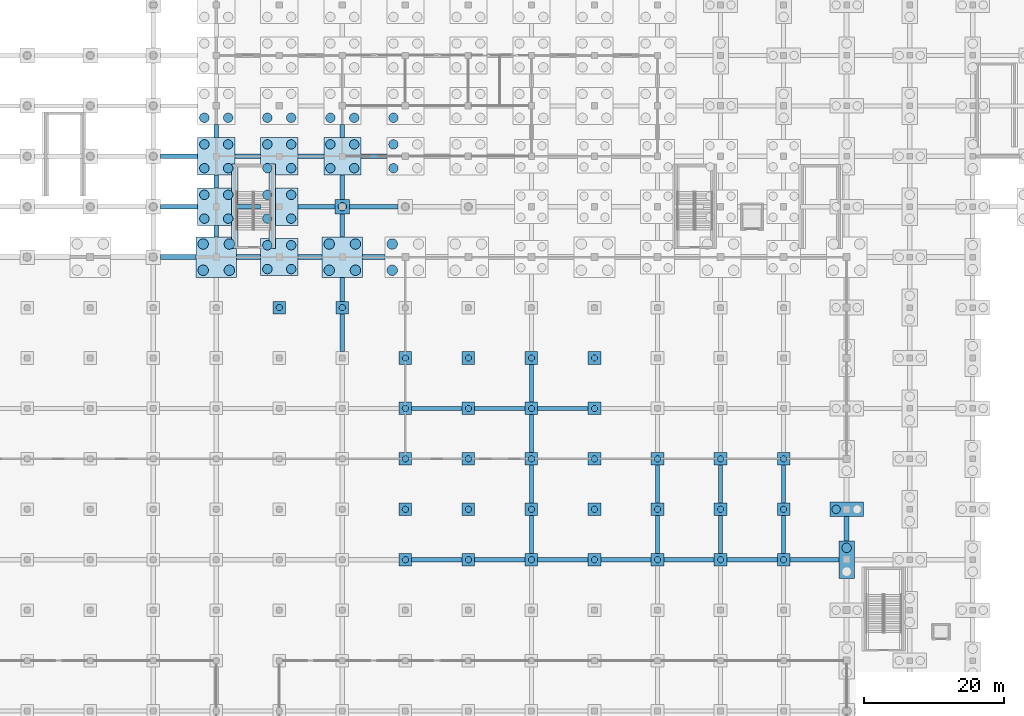
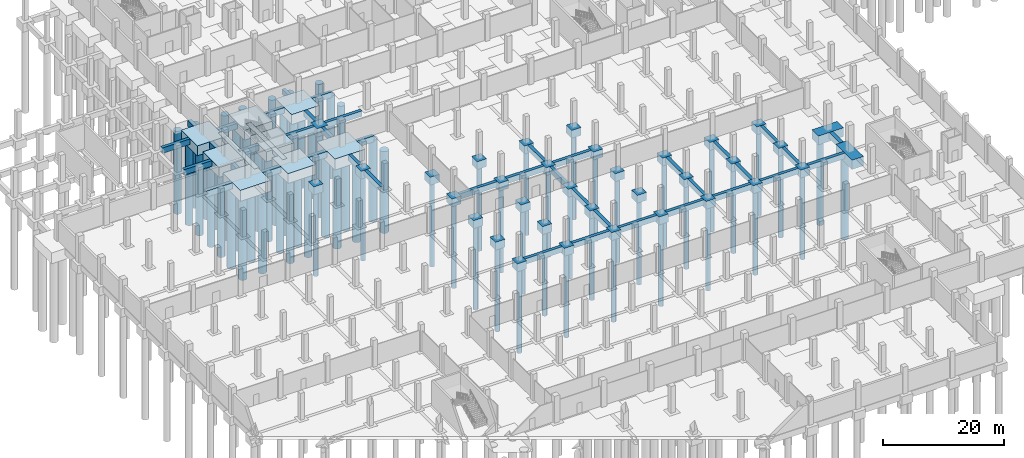
# One storey, part 4 of 39: 85 footings, 77 piles.
"""IFC4 building model written with IfcOpenShell, lengths in metres."""

from ifc_helpers import new_model, si_unit, direction, frame, origin, origin_2d, place, context, subcontext, project, spatial, rectangle, circle, extrude, material, material_profile, profile_set, type_object, element, save


model = new_model("IFC4")

# Units and contexts
model_context = context("Model", 3, precision=1e-05, world=origin(), true_north=direction((0.0, 1.0)))
body_context = subcontext(model_context, "Body", "Model", "MODEL_VIEW")
ifc_project = project(units=[si_unit("LENGTHUNIT", "METRE"), si_unit("AREAUNIT", "SQUARE_METRE"), si_unit("VOLUMEUNIT", "CUBIC_METRE"), si_unit("PLANEANGLEUNIT", "RADIAN"), si_unit("MASSUNIT", "GRAM", prefix="KILO")], contexts=[model_context])

# Site, building, storey
site_placement = place(None, origin())
site = spatial("IfcSite", under=ifc_project, at=site_placement, CompositionType="ELEMENT")
building_placement = place(site_placement, origin())
building = spatial("IfcBuilding", under=site, at=building_placement, Name="Celestram Park Convention Centre", CompositionType="ELEMENT")
storey_placement = place(building_placement, frame((0.0, 0.0, -5.39990234375)))
storey = spatial("IfcBuildingStorey", under=building, at=storey_placement, Name="B1", CompositionType="ELEMENT", Elevation=-5.39990234375)

# Footings
ifc_material_1 = material(Name="Concrete C40/50", Category="concrete")
footing_type_1 = type_object("IfcFootingType", Name="STR-CAP-PC1", PredefinedType="PILE_CAP", material=ifc_material_1)
for number, where, z_axis, x_axis, name in (
    (1, (45.0, 100.800048828125, -1.60009765625), (0.0, 0.0, 1.0), (1.0, 0.0, 0.0), "Caisson cap PC-01 at (45.0, 100.8)"),
    (2, (54.0, 100.800048828125, -1.60009765625), (0.0, 0.0, 1.0), (1.0, 0.0, 0.0), "Caisson cap PC-01 at (54.0, 100.8)"),
    (3, (63.0, 64.800048828125, -1.60009765625), (0.0, 0.0, 1.0), (1.0, 0.0, 0.0), "Caisson cap PC-01 at (63.0, 64.8)"),
    (4, (63.0, 72.0, -1.60009765625), (0.0, 0.0, 1.0), (1.0, 0.0, 0.0), "Caisson cap PC-01 at (63.0, 72.0)"),
    (5, (63.0, 79.199951171875, -1.60009765625), (0.0, 0.0, 1.0), (1.0, 0.0, 0.0), "Caisson cap PC-01 at (63.0, 79.2)"),
    (6, (63.0, 86.39990234375, -1.60009765625), (0.0, 0.0, 1.0), (1.0, 0.0, 0.0), "Caisson cap PC-01 at (63.0, 86.4)"),
    (7, (63.0, 93.60009765625, -1.60009765625), (0.0, 0.0, 1.0), (1.0, 0.0, 0.0), "Caisson cap PC-01 at (63.0, 93.6)"),
    (8, (72.0, 64.800048828125, -1.60009765625), (0.0, 0.0, 1.0), (1.0, 0.0, 0.0), "Caisson cap PC-01 at (72.0, 64.8)"),
    (9, (72.0, 72.0, -1.60009765625), (0.0, 0.0, 1.0), (1.0, 0.0, 0.0), "Caisson cap PC-01 at (72.0, 72.0)"),
    (10, (72.0, 79.199951171875, -1.60009765625), (0.0, 0.0, 1.0), (1.0, 0.0, 0.0), "Caisson cap PC-01 at (72.0, 79.2)"),
    (11, (72.0, 86.39990234375, -1.60009765625), (0.0, 0.0, 1.0), (1.0, 0.0, 0.0), "Caisson cap PC-01 at (72.0, 86.4)"),
    (12, (72.0, 93.60009765625, -1.60009765625), (0.0, 0.0, 1.0), (1.0, 0.0, 0.0), "Caisson cap PC-01 at (72.0, 93.6)"),
    (13, (81.0, 64.800048828125, -1.60009765625), (0.0, 0.0, 1.0), (1.0, 0.0, 0.0), "Caisson cap PC-01 at (81.0, 64.8)"),
    (14, (81.0, 72.0, -1.60009765625), (0.0, 0.0, 1.0), (1.0, 0.0, 0.0), "Caisson cap PC-01 at (81.0, 72.0)"),
    (15, (81.0, 79.199951171875, -1.60009765625), (0.0, 0.0, 1.0), (1.0, 0.0, 0.0), "Caisson cap PC-01 at (81.0, 79.2)"),
    (16, (81.0, 86.39990234375, -1.60009765625), (0.0, 0.0, 1.0), (1.0, 0.0, 0.0), "Caisson cap PC-01 at (81.0, 86.4)"),
    (17, (81.0, 93.60009765625, -1.60009765625), (0.0, 0.0, 1.0), (1.0, 0.0, 0.0), "Caisson cap PC-01 at (81.0, 93.6)"),
    (18, (90.0, 64.800048828125, -1.60009765625), (0.0, 0.0, 1.0), (1.0, 0.0, 0.0), "Caisson cap PC-01 at (90.0, 64.8)"),
    (19, (90.0, 72.0, -1.60009765625), (0.0, 0.0, 1.0), (1.0, 0.0, 0.0), "Caisson cap PC-01 at (90.0, 72.0)"),
    (20, (90.0, 79.199951171875, -1.60009765625), (0.0, 0.0, 1.0), (1.0, 0.0, 0.0), "Caisson cap PC-01 at (90.0, 79.2)"),
    (21, (90.0, 86.39990234375, -1.60009765625), (0.0, 0.0, 1.0), (1.0, 0.0, 0.0), "Caisson cap PC-01 at (90.0, 86.4)"),
    (22, (90.0, 93.60009765625, -1.60009765625), (0.0, 0.0, 1.0), (1.0, 0.0, 0.0), "Caisson cap PC-01 at (90.0, 93.6)"),
    (23, (99.0, 64.800048828125, -1.60009765625), (0.0, 0.0, 1.0), (1.0, 0.0, 0.0), "Caisson cap PC-01 at (99.0, 64.8)"),
    (24, (99.0, 72.0, -1.60009765625), (0.0, 0.0, 1.0), (1.0, 0.0, 0.0), "Caisson cap PC-01 at (99.0, 72.0)"),
    (25, (99.0, 79.199951171875, -1.60009765625), (0.0, 0.0, 1.0), (1.0, 0.0, 0.0), "Caisson cap PC-01 at (99.0, 79.2)"),
    (26, (108.0, 64.800048828125, -1.60009765625), (0.0, 0.0, 1.0), (1.0, 0.0, 0.0), "Caisson cap PC-01 at (108.0, 64.8)"),
    (27, (108.0, 72.0, -1.60009765625), (0.0, 0.0, 1.0), (1.0, 0.0, 0.0), "Caisson cap PC-01 at (108.0, 72.0)"),
    (28, (108.0, 79.199951171875, -1.60009765625), (0.0, 0.0, 1.0), (1.0, 0.0, 0.0), "Caisson cap PC-01 at (108.0, 79.2)"),
    (29, (117.0, 64.800048828125, -1.60009765625), (0.0, 0.0, 1.0), (1.0, 0.0, 0.0), "Caisson cap PC-01 at (117.0, 64.8)"),
    (30, (117.0, 72.0, -1.60009765625), (0.0, 0.0, 1.0), (1.0, 0.0, 0.0), "Caisson cap PC-01 at (117.0, 72.0)"),
    (31, (117.0, 79.199951171875, -1.60009765625), (0.0, 0.0, 1.0), (1.0, 0.0, 0.0), "Caisson cap PC-01 at (117.0, 79.2)"),
):
    element("IfcFooting", number, at=place(storey_placement, frame(where, z_axis=z_axis, x_axis=x_axis)), inside=storey, type_object=footing_type_1, Name=name, PredefinedType="PILE_CAP", context=body_context, shape_type="SweptSolid", body=[
        extrude(rectangle(XDim=1.800048828125, YDim=1.800048828125, at=origin_2d()), origin(), (0.0, 0.0, 1.0), 1.60009765625),
    ])
footing_type_2 = type_object("IfcFootingType", Name="STR-CAP-PC2", PredefinedType="PILE_CAP", material=ifc_material_1)
footing_1_placement = place(storey_placement, frame((54.0, 115.199951171875, -1.7001953125), z_axis=(0.0, 0.0, 1.0), x_axis=(1.0, 0.0, 0.0)))
element("IfcFooting", 32, at=footing_1_placement, inside=storey, type_object=footing_type_2, Name="Caisson cap PC-02 at (54.0, 115.2)", PredefinedType="PILE_CAP", context=body_context, shape_type="SweptSolid", body=[
    extrude(rectangle(XDim=2.10009765625, YDim=2.10009765625, at=origin_2d()), origin(), (0.0, 0.0, 1.0), 1.699951171875),
])
footing_type_3 = type_object("IfcFootingType", Name="STR-CAP-PC4", PredefinedType="PILE_CAP", material=ifc_material_1)
footing_2_placement = place(storey_placement, frame((126.0, 72.0, -1.80029296875), z_axis=(0.0, 0.0, 1.0), x_axis=(1.0, 0.0, 0.0)))
element("IfcFooting", 33, at=footing_2_placement, inside=storey, type_object=footing_type_3, Name="Caisson cap PC-04 at (126.0, 72.0)", PredefinedType="PILE_CAP", context=body_context, shape_type="SweptSolid", body=[
    extrude(rectangle(XDim=4.800048828125, YDim=2.10009765625, at=origin_2d()), origin(), (0.0, 0.0, 1.0), 1.800048828125),
])
footing_type_4 = type_object("IfcFootingType", Name="STR-CAP-PC5", PredefinedType="PILE_CAP", material=ifc_material_1)
footing_3_placement = place(storey_placement, frame((126.0, 64.800048828125, -1.900146484375), z_axis=(0.0, 0.0, 1.0), x_axis=(1.0, 0.0, 0.0)))
element("IfcFooting", 34, at=footing_3_placement, inside=storey, type_object=footing_type_4, Name="Caisson cap PC-05 at (126.0, 64.8)", PredefinedType="PILE_CAP", context=body_context, shape_type="SweptSolid", body=[
    extrude(rectangle(XDim=2.199951171875, YDim=5.300048828125, at=origin_2d()), origin(), (0.0, 0.0, 1.0), 1.89990234375),
])
footing_type_5 = type_object("IfcFootingType", Name="STR-CAP-PC7", PredefinedType="PILE_CAP", material=ifc_material_1)
for number, where, z_axis, x_axis, name in (
    (35, (36.0, 115.199951171875, -2.0), (0.0, 0.0, 1.0), (1.0, 0.0, 0.0), "Caisson cap PC-07 at (36.0, 115.2)"),
    (36, (36.0, 122.39990234375, -2.0), (0.0, 0.0, 1.0), (1.0, 0.0, 0.0), "Caisson cap PC-07 at (36.0, 122.4)"),
    (37, (45.0, 108.0, -2.0), (0.0, 0.0, 1.0), (1.0, 0.0, 0.0), "Caisson cap PC-07 at (45.0, 108.0)"),
    (38, (45.0, 115.199951171875, -2.0), (0.0, 0.0, 1.0), (1.0, 0.0, 0.0), "Caisson cap PC-07 at (45.0, 115.2)"),
    (39, (45.0, 122.39990234375, -2.0), (0.0, 0.0, 1.0), (1.0, 0.0, 0.0), "Caisson cap PC-07 at (45.0, 122.4)"),
    (40, (54.0, 122.39990234375, -2.0), (0.0, 0.0, 1.0), (1.0, 0.0, 0.0), "Caisson cap PC-07 at (54.0, 122.4)"),
):
    element("IfcFooting", number, at=place(storey_placement, frame(where, z_axis=z_axis, x_axis=x_axis)), inside=storey, type_object=footing_type_5, Name=name, PredefinedType="PILE_CAP", context=body_context, shape_type="SweptSolid", body=[
        extrude(rectangle(XDim=5.300048828125, YDim=5.300048828125, at=origin_2d()), origin(), (0.0, 0.0, 1.0), 2.0),
    ])
footing_type_6 = type_object("IfcFootingType", Name="STR-CAP-PC8", PredefinedType="PILE_CAP", material=ifc_material_1)
for number, where, z_axis, x_axis, name in (
    (41, (36.0, 108.0, -2.2001953125), (0.0, 0.0, 1.0), (1.0, 0.0, 0.0), "Caisson cap PC-08 at (36.0, 108.0)"),
    (42, (54.0, 108.0, -2.2001953125), (0.0, 0.0, 1.0), (1.0, 0.0, 0.0), "Caisson cap PC-08 at (54.0, 108.0)"),
):
    element("IfcFooting", number, at=place(storey_placement, frame(where, z_axis=z_axis, x_axis=x_axis)), inside=storey, type_object=footing_type_6, Name=name, PredefinedType="PILE_CAP", context=body_context, shape_type="SweptSolid", body=[
        extrude(rectangle(XDim=5.800048828125, YDim=5.800048828125, at=origin_2d()), origin(), (0.0, 0.0, 1.0), 2.199951171875),
    ])
ifc_material_2 = material(Name="Concrete C35/45", Category="concrete")
footing_type_7 = type_object("IfcFootingType", Name="STR-FTG-GB01", PredefinedType="FOOTING_BEAM", material=ifc_material_2)
footing_4_placement = place(storey_placement, frame((30.574951171875, 108.0, -1.2001953125), z_axis=(0.0, 0.0, 1.0), x_axis=(1.0, 0.0, 0.0)))
element("IfcFooting", 43, at=footing_4_placement, inside=storey, type_object=footing_type_7, Name="Grade tie beam GB-B1-064", PredefinedType="FOOTING_BEAM", context=body_context, shape_type="SweptSolid", body=[
    extrude(rectangle(XDim=5.050048828125, YDim=0.699951171875, at=origin_2d()), origin(), (0.0, 0.0, 1.0), 1.199951171875),
])
footing_type_8 = type_object("IfcFootingType", Name="STR-FTG-GB05", PredefinedType="FOOTING_BEAM", material=ifc_material_2)
footing_5_placement = place(storey_placement, frame((58.5, 115.199951171875, -1.10009765625), z_axis=(0.0, 0.0, 1.0), x_axis=(1.0, 0.0, 0.0)))
element("IfcFooting", 44, at=footing_5_placement, inside=storey, type_object=footing_type_8, Name="Grade tie beam GB-B1-151", PredefinedType="FOOTING_BEAM", context=body_context, shape_type="SweptSolid", body=[
    extrude(rectangle(XDim=6.89990234375, YDim=0.60009765625, at=origin_2d()), origin(), (0.0, 0.0, 1.0), 1.10009765625),
])
footing_type_9 = type_object("IfcFootingType", Name="STR-FTG-GB06", PredefinedType="FOOTING_BEAM", material=ifc_material_2)
for number, where, z_axis, x_axis, name in (
    (45, (67.5, 64.800048828125, -1.10009765625), (0.0, 0.0, 1.0), (1.0, 0.0, 0.0), "Grade tie beam GB-B1-168"),
    (46, (67.5, 86.39990234375, -1.10009765625), (0.0, 0.0, 1.0), (1.0, 0.0, 0.0), "Grade tie beam GB-B1-169"),
    (47, (76.5, 64.800048828125, -1.10009765625), (0.0, 0.0, 1.0), (1.0, 0.0, 0.0), "Grade tie beam GB-B1-181"),
    (48, (76.5, 86.39990234375, -1.10009765625), (0.0, 0.0, 1.0), (1.0, 0.0, 0.0), "Grade tie beam GB-B1-182"),
    (49, (85.5, 64.800048828125, -1.10009765625), (0.0, 0.0, 1.0), (1.0, 0.0, 0.0), "Grade tie beam GB-B1-203"),
    (50, (85.5, 86.39990234375, -1.10009765625), (0.0, 0.0, 1.0), (1.0, 0.0, 0.0), "Grade tie beam GB-B1-207"),
    (51, (94.5, 64.800048828125, -1.10009765625), (0.0, 0.0, 1.0), (1.0, 0.0, 0.0), "Grade tie beam GB-B1-230"),
    (52, (103.5, 64.800048828125, -1.10009765625), (0.0, 0.0, 1.0), (1.0, 0.0, 0.0), "Grade tie beam GB-B1-252"),
    (53, (112.5, 64.800048828125, -1.10009765625), (0.0, 0.0, 1.0), (1.0, 0.0, 0.0), "Grade tie beam GB-B1-288"),
):
    element("IfcFooting", number, at=place(storey_placement, frame(where, z_axis=z_axis, x_axis=x_axis)), inside=storey, type_object=footing_type_9, Name=name, PredefinedType="FOOTING_BEAM", context=body_context, shape_type="SweptSolid", body=[
        extrude(rectangle(XDim=7.199951171875, YDim=0.60009765625, at=origin_2d()), origin(), (0.0, 0.0, 1.0), 1.10009765625),
    ])
footing_type_10 = type_object("IfcFootingType", Name="STR-FTG-GB08", PredefinedType="FOOTING_BEAM", material=ifc_material_2)
for number, where, z_axis, x_axis, name in (
    (54, (54.0, 97.199951171875, -1.10009765625), (0.0, 0.0, 1.0), (0.0, 1.0, 0.0), "Grade tie beam GB-B1-147"),
    (55, (81.0, 68.39990234375, -1.10009765625), (0.0, 0.0, 1.0), (0.0, 1.0, 0.0), "Grade tie beam GB-B1-204"),
    (56, (81.0, 75.60009765625, -1.10009765625), (0.0, 0.0, 1.0), (0.0, 1.0, 0.0), "Grade tie beam GB-B1-205"),
    (57, (81.0, 82.800048828125, -1.10009765625), (0.0, 0.0, 1.0), (0.0, 1.0, 0.0), "Grade tie beam GB-B1-206"),
    (58, (81.0, 90.0, -1.10009765625), (0.0, 0.0, 1.0), (0.0, 1.0, 0.0), "Grade tie beam GB-B1-208"),
    (59, (99.0, 68.39990234375, -1.10009765625), (0.0, 0.0, 1.0), (0.0, 1.0, 0.0), "Grade tie beam GB-B1-253"),
    (60, (99.0, 75.60009765625, -1.10009765625), (0.0, 0.0, 1.0), (0.0, 1.0, 0.0), "Grade tie beam GB-B1-254"),
    (61, (108.0, 68.39990234375, -1.10009765625), (0.0, 0.0, 1.0), (0.0, 1.0, 0.0), "Grade tie beam GB-B1-289"),
    (62, (108.0, 75.60009765625, -1.10009765625), (0.0, 0.0, 1.0), (0.0, 1.0, 0.0), "Grade tie beam GB-B1-290"),
    (63, (117.0, 68.39990234375, -1.10009765625), (0.0, 0.0, 1.0), (0.0, 1.0, 0.0), "Grade tie beam GB-B1-324"),
    (64, (117.0, 75.60009765625, -1.10009765625), (0.0, 0.0, 1.0), (0.0, 1.0, 0.0), "Grade tie beam GB-B1-325"),
):
    element("IfcFooting", number, at=place(storey_placement, frame(where, z_axis=z_axis, x_axis=x_axis)), inside=storey, type_object=footing_type_10, Name=name, PredefinedType="FOOTING_BEAM", context=body_context, shape_type="SweptSolid", body=[
        extrude(rectangle(XDim=5.39990234375, YDim=0.60009765625, at=origin_2d()), origin(), (0.0, 0.0, 1.0), 1.10009765625),
    ])
footing_type_11 = type_object("IfcFootingType", Name="STR-FTG-GB10", PredefinedType="FOOTING_BEAM", material=ifc_material_2)
for number, where, z_axis, x_axis, name in (
    (65, (30.699951171875, 115.199951171875, -1.10009765625), (0.0, 0.0, 1.0), (1.0, 0.0, 0.0), "Grade tie beam GB-B1-066"),
    (66, (30.699951171875, 122.39990234375, -1.10009765625), (0.0, 0.0, 1.0), (1.0, 0.0, 0.0), "Grade tie beam GB-B1-068"),
    (67, (50.300048828125, 115.199951171875, -1.10009765625), (0.0, 0.0, 1.0), (1.0, 0.0, 0.0), "Grade tie beam GB-B1-122"),
):
    element("IfcFooting", number, at=place(storey_placement, frame(where, z_axis=z_axis, x_axis=x_axis)), inside=storey, type_object=footing_type_11, Name=name, PredefinedType="FOOTING_BEAM", context=body_context, shape_type="SweptSolid", body=[
        extrude(rectangle(XDim=5.300048828125, YDim=0.60009765625, at=origin_2d()), origin(), (0.0, 0.0, 1.0), 1.10009765625),
    ])
footing_type_12 = type_object("IfcFootingType", Name="STR-FTG-GB15", PredefinedType="FOOTING_BEAM", material=ifc_material_2)
for number, where, z_axis, x_axis, name in (
    (68, (40.625, 108.0, -1.2001953125), (0.0, 0.0, 1.0), (1.0, 0.0, 0.0), "Grade tie beam GB-B1-100"),
    (69, (49.375, 108.0, -1.2001953125), (0.0, 0.0, 1.0), (1.0, 0.0, 0.0), "Grade tie beam GB-B1-121"),
):
    element("IfcFooting", number, at=place(storey_placement, frame(where, z_axis=z_axis, x_axis=x_axis)), inside=storey, type_object=footing_type_12, Name=name, PredefinedType="FOOTING_BEAM", context=body_context, shape_type="SweptSolid", body=[
        extrude(rectangle(XDim=3.449951171875, YDim=0.699951171875, at=origin_2d()), origin(), (0.0, 0.0, 1.0), 1.199951171875),
    ])
footing_type_13 = type_object("IfcFootingType", Name="STR-FTG-GB16", PredefinedType="FOOTING_BEAM", material=ifc_material_2)
footing_6_placement = place(storey_placement, frame((36.0, 111.72509765625, -1.2001953125), z_axis=(0.0, 0.0, 1.0), x_axis=(0.0, 1.0, 0.0)))
element("IfcFooting", 70, at=footing_6_placement, inside=storey, type_object=footing_type_13, Name="Grade tie beam GB-B1-101", PredefinedType="FOOTING_BEAM", context=body_context, shape_type="SweptSolid", body=[
    extrude(rectangle(XDim=1.64990234375, YDim=0.699951171875, at=origin_2d()), origin(), (0.0, 0.0, 1.0), 1.199951171875),
])
footing_type_14 = type_object("IfcFootingType", Name="STR-FTG-GB17", PredefinedType="FOOTING_BEAM", material=ifc_material_2)
for number, where, z_axis, x_axis, name in (
    (71, (40.5, 115.199951171875, -1.10009765625), (0.0, 0.0, 1.0), (1.0, 0.0, 0.0), "Grade tie beam GB-B1-102"),
    (72, (40.5, 122.39990234375, -1.10009765625), (0.0, 0.0, 1.0), (1.0, 0.0, 0.0), "Grade tie beam GB-B1-104"),
    (73, (49.5, 122.39990234375, -1.10009765625), (0.0, 0.0, 1.0), (1.0, 0.0, 0.0), "Grade tie beam GB-B1-123"),
    (74, (58.5, 122.39990234375, -1.10009765625), (0.0, 0.0, 1.0), (1.0, 0.0, 0.0), "Grade tie beam GB-B1-153"),
):
    element("IfcFooting", number, at=place(storey_placement, frame(where, z_axis=z_axis, x_axis=x_axis)), inside=storey, type_object=footing_type_14, Name=name, PredefinedType="FOOTING_BEAM", context=body_context, shape_type="SweptSolid", body=[
        extrude(rectangle(XDim=3.699951171875, YDim=0.60009765625, at=origin_2d()), origin(), (0.0, 0.0, 1.0), 1.10009765625),
    ])
footing_type_15 = type_object("IfcFootingType", Name="STR-FTG-GB18", PredefinedType="FOOTING_BEAM", material=ifc_material_2)
for number, where, z_axis, x_axis, name in (
    (75, (36.0, 118.800048828125, -1.2001953125), (0.0, 0.0, 1.0), (0.0, 1.0, 0.0), "Grade tie beam GB-B1-103"),
    (76, (36.0, 126.0, -1.2001953125), (0.0, 0.0, 1.0), (0.0, 1.0, 0.0), "Grade tie beam GB-B1-105"),
):
    element("IfcFooting", number, at=place(storey_placement, frame(where, z_axis=z_axis, x_axis=x_axis)), inside=storey, type_object=footing_type_15, Name=name, PredefinedType="FOOTING_BEAM", context=body_context, shape_type="SweptSolid", body=[
        extrude(rectangle(XDim=1.89990234375, YDim=0.699951171875, at=origin_2d()), origin(), (0.0, 0.0, 1.0), 1.199951171875),
    ])
footing_type_16 = type_object("IfcFootingType", Name="STR-FTG-GB20", PredefinedType="FOOTING_BEAM", material=ifc_material_2)
footing_7_placement = place(storey_placement, frame((54.0, 112.52490234375, -1.10009765625), z_axis=(0.0, 0.0, 1.0), x_axis=(0.0, 1.0, 0.0)))
element("IfcFooting", 77, at=footing_7_placement, inside=storey, type_object=footing_type_16, Name="Grade tie beam GB-B1-150", PredefinedType="FOOTING_BEAM", context=body_context, shape_type="SweptSolid", body=[
    extrude(rectangle(XDim=3.25, YDim=0.60009765625, at=origin_2d()), origin(), (0.0, 0.0, 1.0), 1.10009765625),
])
footing_type_17 = type_object("IfcFootingType", Name="STR-FTG-GB21", PredefinedType="FOOTING_BEAM", material=ifc_material_2)
footing_8_placement = place(storey_placement, frame((58.5, 108.0, -1.2001953125), z_axis=(0.0, 0.0, 1.0), x_axis=(1.0, 0.0, 0.0)))
element("IfcFooting", 78, at=footing_8_placement, inside=storey, type_object=footing_type_17, Name="Grade tie beam GB-B1-149", PredefinedType="FOOTING_BEAM", context=body_context, shape_type="SweptSolid", body=[
    extrude(rectangle(XDim=3.199951171875, YDim=0.699951171875, at=origin_2d()), origin(), (0.0, 0.0, 1.0), 1.199951171875),
])
footing_type_18 = type_object("IfcFootingType", Name="STR-FTG-GB22", PredefinedType="FOOTING_BEAM", material=ifc_material_2)
footing_9_placement = place(storey_placement, frame((54.0, 103.39990234375, -1.10009765625), z_axis=(0.0, 0.0, 1.0), x_axis=(0.0, 1.0, 0.0)))
element("IfcFooting", 79, at=footing_9_placement, inside=storey, type_object=footing_type_18, Name="Grade tie beam GB-B1-148", PredefinedType="FOOTING_BEAM", context=body_context, shape_type="SweptSolid", body=[
    extrude(rectangle(XDim=3.39990234375, YDim=0.60009765625, at=origin_2d()), origin(), (0.0, 0.0, 1.0), 1.10009765625),
])
footing_type_19 = type_object("IfcFootingType", Name="STR-FTG-GB23", PredefinedType="FOOTING_BEAM", material=ifc_material_2)
footing_10_placement = place(storey_placement, frame((54.0, 118.0, -1.10009765625), z_axis=(0.0, 0.0, 1.0), x_axis=(0.0, 1.0, 0.0)))
element("IfcFooting", 80, at=footing_10_placement, inside=storey, type_object=footing_type_19, Name="Grade tie beam GB-B1-152", PredefinedType="FOOTING_BEAM", context=body_context, shape_type="SweptSolid", body=[
    extrude(rectangle(XDim=3.5, YDim=0.60009765625, at=origin_2d()), origin(), (0.0, 0.0, 1.0), 1.10009765625),
])
footing_type_20 = type_object("IfcFootingType", Name="STR-FTG-GB24", PredefinedType="FOOTING_BEAM", material=ifc_material_2)
footing_11_placement = place(storey_placement, frame((54.0, 126.0, -1.10009765625), z_axis=(0.0, 0.0, 1.0), x_axis=(0.0, 1.0, 0.0)))
element("IfcFooting", 81, at=footing_11_placement, inside=storey, type_object=footing_type_20, Name="Grade tie beam GB-B1-154", PredefinedType="FOOTING_BEAM", context=body_context, shape_type="SweptSolid", body=[
    extrude(rectangle(XDim=1.89990234375, YDim=0.60009765625, at=origin_2d()), origin(), (0.0, 0.0, 1.0), 1.10009765625),
])
footing_type_21 = type_object("IfcFootingType", Name="STR-FTG-GB35", PredefinedType="FOOTING_BEAM", material=ifc_material_2)
footing_12_placement = place(storey_placement, frame((121.39990234375, 64.800048828125, -1.10009765625), z_axis=(0.0, 0.0, 1.0), x_axis=(1.0, 0.0, 0.0)))
element("IfcFooting", 82, at=footing_12_placement, inside=storey, type_object=footing_type_21, Name="Grade tie beam GB-B1-323", PredefinedType="FOOTING_BEAM", context=body_context, shape_type="SweptSolid", body=[
    extrude(rectangle(XDim=7.0, YDim=0.60009765625, at=origin_2d()), origin(), (0.0, 0.0, 1.0), 1.10009765625),
])
footing_type_22 = type_object("IfcFootingType", Name="STR-FTG-GB39", PredefinedType="FOOTING_BEAM", material=ifc_material_2)
footing_13_placement = place(storey_placement, frame((126.0, 69.199951171875, -1.2001953125), z_axis=(0.0, 0.0, 1.0), x_axis=(0.0, 1.0, 0.0)))
element("IfcFooting", 83, at=footing_13_placement, inside=storey, type_object=footing_type_22, Name="Grade tie beam GB-B1-356", PredefinedType="FOOTING_BEAM", context=body_context, shape_type="SweptSolid", body=[
    extrude(rectangle(XDim=3.5, YDim=0.699951171875, at=origin_2d()), origin(), (0.0, 0.0, 1.0), 1.199951171875),
])
footing_type_23 = type_object("IfcFootingType", Name="STR-FTG-SF49", PredefinedType="STRIP_FOOTING", material=ifc_material_2)
for number, where, z_axis, x_axis, name in (
    (84, (38.64990234375, 115.264892578125, -0.75), (0.0, 0.0, 1.0), (0.0, 1.0, 0.0), "Core S13 strip footing"),
    (85, (43.989990234375, 115.264892578125, -0.75), (0.0, 0.0, 1.0), (0.0, 1.0, 0.0), "Core S13 strip footing"),
):
    element("IfcFooting", number, at=place(storey_placement, frame(where, z_axis=z_axis, x_axis=x_axis)), inside=storey, type_object=footing_type_23, Name=name, PredefinedType="STRIP_FOOTING", context=body_context, shape_type="SweptSolid", body=[
        extrude(rectangle(XDim=12.030029296875, YDim=0.89990234375, at=origin_2d()), origin(), (0.0, 0.0, 1.0), 0.75),
    ])

# Piles
ifc_material_profile_1 = material_profile(ifc_material_1, circle(Radius=0.60009765625, at=origin_2d()), Name="CAISSON1200")
ifc_profile_set_1 = profile_set([ifc_material_profile_1], Name="Concrete C40/50")
pile_type_1 = type_object("IfcPileType", Name="STR-PIL-C1200", PredefinedType="BORED", material=ifc_profile_set_1)
pile_1_placement = place(storey_placement, frame((54.0, 115.199951171875, -1.60009765625), z_axis=(0.0, 0.0, -1.0), x_axis=(1.0, 0.0, 0.0)))
element("IfcPile", 86, at=pile_1_placement, inside=storey, type_object=pile_type_1, Name="Bored caisson PC-B1-212", PredefinedType="BORED", context=body_context, shape_type="SweptSolid", body=[
    extrude(circle(Radius=0.60009765625, at=origin_2d()), origin(), (0.0, 0.0, 1.0), 17.0),
])
pile_2_placement = place(storey_placement, frame((124.5, 72.0, -1.7001953125), z_axis=(0.0, 0.0, -1.0), x_axis=(1.0, 0.0, 0.0)))
element("IfcPile", 87, at=pile_2_placement, inside=storey, type_object=pile_type_1, Name="Bored caisson PC-B1-593", PredefinedType="BORED", context=body_context, shape_type="SweptSolid", body=[
    extrude(circle(Radius=0.60009765625, at=origin_2d()), origin(), (0.0, 0.0, 1.0), 16.89990234375),
])
ifc_material_profile_2 = material_profile(ifc_material_1, circle(Radius=0.675048828125, at=origin_2d()), Name="CAISSON1350")
ifc_profile_set_2 = profile_set([ifc_material_profile_2], Name="Concrete C40/50")
pile_type_2 = type_object("IfcPileType", Name="STR-PIL-C1350", PredefinedType="BORED", material=ifc_profile_set_2)
for number, where, z_axis, x_axis, name in (
    (88, (34.300048828125, 113.5, -1.900146484375), (0.0, 0.0, -1.0), (1.0, 0.0, 0.0), "Bored caisson PC-B1-107"),
    (89, (37.699951171875, 113.5, -1.900146484375), (0.0, 0.0, -1.0), (1.0, 0.0, 0.0), "Bored caisson PC-B1-108"),
    (90, (34.300048828125, 116.89990234375, -1.900146484375), (0.0, 0.0, -1.0), (1.0, 0.0, 0.0), "Bored caisson PC-B1-109"),
    (91, (37.699951171875, 116.89990234375, -1.900146484375), (0.0, 0.0, -1.0), (1.0, 0.0, 0.0), "Bored caisson PC-B1-110"),
    (92, (34.300048828125, 120.699951171875, -1.900146484375), (0.0, 0.0, -1.0), (1.0, 0.0, 0.0), "Bored caisson PC-B1-111"),
    (93, (37.699951171875, 120.699951171875, -1.900146484375), (0.0, 0.0, -1.0), (1.0, 0.0, 0.0), "Bored caisson PC-B1-112"),
    (94, (34.300048828125, 124.10009765625, -1.900146484375), (0.0, 0.0, -1.0), (1.0, 0.0, 0.0), "Bored caisson PC-B1-113"),
    (95, (37.699951171875, 124.10009765625, -1.900146484375), (0.0, 0.0, -1.0), (1.0, 0.0, 0.0), "Bored caisson PC-B1-114"),
    (96, (34.300048828125, 127.89990234375, -1.900146484375), (0.0, 0.0, -1.0), (1.0, 0.0, 0.0), "Bored caisson PC-B1-115"),
    (97, (37.699951171875, 127.89990234375, -1.900146484375), (0.0, 0.0, -1.0), (1.0, 0.0, 0.0), "Bored caisson PC-B1-116"),
    (98, (43.300048828125, 106.300048828125, -1.900146484375), (0.0, 0.0, -1.0), (1.0, 0.0, 0.0), "Bored caisson PC-B1-154"),
    (99, (46.699951171875, 106.300048828125, -1.900146484375), (0.0, 0.0, -1.0), (1.0, 0.0, 0.0), "Bored caisson PC-B1-155"),
    (100, (43.300048828125, 109.699951171875, -1.900146484375), (0.0, 0.0, -1.0), (1.0, 0.0, 0.0), "Bored caisson PC-B1-156"),
    (101, (46.699951171875, 109.699951171875, -1.900146484375), (0.0, 0.0, -1.0), (1.0, 0.0, 0.0), "Bored caisson PC-B1-157"),
    (102, (43.300048828125, 113.5, -1.900146484375), (0.0, 0.0, -1.0), (1.0, 0.0, 0.0), "Bored caisson PC-B1-158"),
    (103, (46.699951171875, 113.5, -1.900146484375), (0.0, 0.0, -1.0), (1.0, 0.0, 0.0), "Bored caisson PC-B1-159"),
    (104, (43.300048828125, 116.89990234375, -1.900146484375), (0.0, 0.0, -1.0), (1.0, 0.0, 0.0), "Bored caisson PC-B1-160"),
    (105, (46.699951171875, 116.89990234375, -1.900146484375), (0.0, 0.0, -1.0), (1.0, 0.0, 0.0), "Bored caisson PC-B1-161"),
    (106, (43.300048828125, 120.699951171875, -1.900146484375), (0.0, 0.0, -1.0), (1.0, 0.0, 0.0), "Bored caisson PC-B1-162"),
    (107, (46.699951171875, 120.699951171875, -1.900146484375), (0.0, 0.0, -1.0), (1.0, 0.0, 0.0), "Bored caisson PC-B1-163"),
    (108, (43.300048828125, 124.10009765625, -1.900146484375), (0.0, 0.0, -1.0), (1.0, 0.0, 0.0), "Bored caisson PC-B1-164"),
    (109, (46.699951171875, 124.10009765625, -1.900146484375), (0.0, 0.0, -1.0), (1.0, 0.0, 0.0), "Bored caisson PC-B1-165"),
    (110, (43.300048828125, 127.89990234375, -1.900146484375), (0.0, 0.0, -1.0), (1.0, 0.0, 0.0), "Bored caisson PC-B1-166"),
    (111, (46.699951171875, 127.89990234375, -1.900146484375), (0.0, 0.0, -1.0), (1.0, 0.0, 0.0), "Bored caisson PC-B1-167"),
    (112, (52.300048828125, 120.699951171875, -1.900146484375), (0.0, 0.0, -1.0), (1.0, 0.0, 0.0), "Bored caisson PC-B1-213"),
    (113, (55.699951171875, 120.699951171875, -1.900146484375), (0.0, 0.0, -1.0), (1.0, 0.0, 0.0), "Bored caisson PC-B1-214"),
    (114, (52.300048828125, 124.10009765625, -1.900146484375), (0.0, 0.0, -1.0), (1.0, 0.0, 0.0), "Bored caisson PC-B1-215"),
    (115, (55.699951171875, 124.10009765625, -1.900146484375), (0.0, 0.0, -1.0), (1.0, 0.0, 0.0), "Bored caisson PC-B1-216"),
    (116, (52.300048828125, 127.89990234375, -1.900146484375), (0.0, 0.0, -1.0), (1.0, 0.0, 0.0), "Bored caisson PC-B1-217"),
    (117, (55.699951171875, 127.89990234375, -1.900146484375), (0.0, 0.0, -1.0), (1.0, 0.0, 0.0), "Bored caisson PC-B1-218"),
    (118, (61.300048828125, 120.699951171875, -1.900146484375), (0.0, 0.0, -1.0), (1.0, 0.0, 0.0), "Bored caisson PC-B1-264"),
    (119, (61.300048828125, 124.10009765625, -1.900146484375), (0.0, 0.0, -1.0), (1.0, 0.0, 0.0), "Bored caisson PC-B1-266"),
    (120, (61.300048828125, 127.89990234375, -1.900146484375), (0.0, 0.0, -1.0), (1.0, 0.0, 0.0), "Bored caisson PC-B1-268"),
):
    element("IfcPile", number, at=place(storey_placement, frame(where, z_axis=z_axis, x_axis=x_axis)), inside=storey, type_object=pile_type_2, Name=name, PredefinedType="BORED", context=body_context, shape_type="SweptSolid", body=[
        extrude(circle(Radius=0.675048828125, at=origin_2d()), origin(), (0.0, 0.0, 1.0), 16.699951171875),
    ])
pile_3_placement = place(storey_placement, frame((126.0, 66.5, -1.800048828125), z_axis=(0.0, 0.0, -1.0), x_axis=(1.0, 0.0, 0.0)))
element("IfcPile", 121, at=pile_3_placement, inside=storey, type_object=pile_type_2, Name="Bored caisson PC-B1-592", PredefinedType="BORED", context=body_context, shape_type="SweptSolid", body=[
    extrude(circle(Radius=0.675048828125, at=origin_2d()), origin(), (0.0, 0.0, 1.0), 16.800048828125),
])
ifc_material_profile_3 = material_profile(ifc_material_1, circle(Radius=0.75, at=origin_2d()), Name="CAISSON1500")
ifc_profile_set_3 = profile_set([ifc_material_profile_3], Name="Concrete C40/50")
pile_type_3 = type_object("IfcPileType", Name="STR-PIL-C1500", PredefinedType="BORED", material=ifc_profile_set_3)
for number, where, z_axis, x_axis, name in (
    (122, (34.125, 106.125, -2.10009765625), (0.0, 0.0, -1.0), (1.0, 0.0, 0.0), "Bored caisson PC-B1-103"),
    (123, (37.875, 106.125, -2.10009765625), (0.0, 0.0, -1.0), (1.0, 0.0, 0.0), "Bored caisson PC-B1-104"),
    (124, (34.125, 109.875, -2.10009765625), (0.0, 0.0, -1.0), (1.0, 0.0, 0.0), "Bored caisson PC-B1-105"),
    (125, (37.875, 109.875, -2.10009765625), (0.0, 0.0, -1.0), (1.0, 0.0, 0.0), "Bored caisson PC-B1-106"),
    (126, (52.125, 106.125, -2.10009765625), (0.0, 0.0, -1.0), (1.0, 0.0, 0.0), "Bored caisson PC-B1-208"),
    (127, (55.875, 106.125, -2.10009765625), (0.0, 0.0, -1.0), (1.0, 0.0, 0.0), "Bored caisson PC-B1-209"),
    (128, (52.125, 109.875, -2.10009765625), (0.0, 0.0, -1.0), (1.0, 0.0, 0.0), "Bored caisson PC-B1-210"),
    (129, (55.875, 109.875, -2.10009765625), (0.0, 0.0, -1.0), (1.0, 0.0, 0.0), "Bored caisson PC-B1-211"),
    (130, (61.125, 106.125, -2.10009765625), (0.0, 0.0, -1.0), (1.0, 0.0, 0.0), "Bored caisson PC-B1-259"),
    (131, (61.125, 109.875, -2.10009765625), (0.0, 0.0, -1.0), (1.0, 0.0, 0.0), "Bored caisson PC-B1-261"),
):
    element("IfcPile", number, at=place(storey_placement, frame(where, z_axis=z_axis, x_axis=x_axis)), inside=storey, type_object=pile_type_3, Name=name, PredefinedType="BORED", context=body_context, shape_type="SweptSolid", body=[
        extrude(circle(Radius=0.75, at=origin_2d()), origin(), (0.0, 0.0, 1.0), 16.5),
    ])
ifc_material_profile_4 = material_profile(ifc_material_1, circle(Radius=0.449951171875, at=origin_2d()), Name="CAISSON900")
ifc_profile_set_4 = profile_set([ifc_material_profile_4], Name="Concrete C40/50")
pile_type_4 = type_object("IfcPileType", Name="STR-PIL-C900", PredefinedType="BORED", material=ifc_profile_set_4)
for number, where, z_axis, x_axis, name in (
    (132, (45.0, 100.800048828125, -1.5), (0.0, 0.0, -1.0), (1.0, 0.0, 0.0), "Bored caisson PC-B1-153"),
    (133, (54.0, 100.800048828125, -1.5), (0.0, 0.0, -1.0), (1.0, 0.0, 0.0), "Bored caisson PC-B1-207"),
    (134, (63.0, 64.800048828125, -1.5), (0.0, 0.0, -1.0), (1.0, 0.0, 0.0), "Bored caisson PC-B1-253"),
    (135, (63.0, 72.0, -1.5), (0.0, 0.0, -1.0), (1.0, 0.0, 0.0), "Bored caisson PC-B1-254"),
    (136, (63.0, 79.199951171875, -1.5), (0.0, 0.0, -1.0), (1.0, 0.0, 0.0), "Bored caisson PC-B1-255"),
    (137, (63.0, 86.39990234375, -1.5), (0.0, 0.0, -1.0), (1.0, 0.0, 0.0), "Bored caisson PC-B1-256"),
    (138, (63.0, 93.60009765625, -1.5), (0.0, 0.0, -1.0), (1.0, 0.0, 0.0), "Bored caisson PC-B1-257"),
    (139, (72.0, 64.800048828125, -1.5), (0.0, 0.0, -1.0), (1.0, 0.0, 0.0), "Bored caisson PC-B1-304"),
    (140, (72.0, 72.0, -1.5), (0.0, 0.0, -1.0), (1.0, 0.0, 0.0), "Bored caisson PC-B1-305"),
    (141, (72.0, 79.199951171875, -1.5), (0.0, 0.0, -1.0), (1.0, 0.0, 0.0), "Bored caisson PC-B1-306"),
    (142, (72.0, 86.39990234375, -1.5), (0.0, 0.0, -1.0), (1.0, 0.0, 0.0), "Bored caisson PC-B1-307"),
    (143, (72.0, 93.60009765625, -1.5), (0.0, 0.0, -1.0), (1.0, 0.0, 0.0), "Bored caisson PC-B1-308"),
    (144, (81.0, 64.800048828125, -1.5), (0.0, 0.0, -1.0), (1.0, 0.0, 0.0), "Bored caisson PC-B1-352"),
    (145, (81.0, 72.0, -1.5), (0.0, 0.0, -1.0), (1.0, 0.0, 0.0), "Bored caisson PC-B1-353"),
    (146, (81.0, 79.199951171875, -1.5), (0.0, 0.0, -1.0), (1.0, 0.0, 0.0), "Bored caisson PC-B1-354"),
    (147, (81.0, 86.39990234375, -1.5), (0.0, 0.0, -1.0), (1.0, 0.0, 0.0), "Bored caisson PC-B1-355"),
    (148, (81.0, 93.60009765625, -1.5), (0.0, 0.0, -1.0), (1.0, 0.0, 0.0), "Bored caisson PC-B1-356"),
    (149, (90.0, 64.800048828125, -1.5), (0.0, 0.0, -1.0), (1.0, 0.0, 0.0), "Bored caisson PC-B1-406"),
    (150, (90.0, 72.0, -1.5), (0.0, 0.0, -1.0), (1.0, 0.0, 0.0), "Bored caisson PC-B1-407"),
    (151, (90.0, 79.199951171875, -1.5), (0.0, 0.0, -1.0), (1.0, 0.0, 0.0), "Bored caisson PC-B1-408"),
    (152, (90.0, 86.39990234375, -1.5), (0.0, 0.0, -1.0), (1.0, 0.0, 0.0), "Bored caisson PC-B1-409"),
    (153, (90.0, 93.60009765625, -1.5), (0.0, 0.0, -1.0), (1.0, 0.0, 0.0), "Bored caisson PC-B1-410"),
    (154, (99.0, 64.800048828125, -1.5), (0.0, 0.0, -1.0), (1.0, 0.0, 0.0), "Bored caisson PC-B1-457"),
    (155, (99.0, 72.0, -1.5), (0.0, 0.0, -1.0), (1.0, 0.0, 0.0), "Bored caisson PC-B1-458"),
    (156, (99.0, 79.199951171875, -1.5), (0.0, 0.0, -1.0), (1.0, 0.0, 0.0), "Bored caisson PC-B1-459"),
    (157, (108.0, 64.800048828125, -1.5), (0.0, 0.0, -1.0), (1.0, 0.0, 0.0), "Bored caisson PC-B1-511"),
    (158, (108.0, 72.0, -1.5), (0.0, 0.0, -1.0), (1.0, 0.0, 0.0), "Bored caisson PC-B1-512"),
    (159, (108.0, 79.199951171875, -1.5), (0.0, 0.0, -1.0), (1.0, 0.0, 0.0), "Bored caisson PC-B1-513"),
    (160, (117.0, 64.800048828125, -1.5), (0.0, 0.0, -1.0), (1.0, 0.0, 0.0), "Bored caisson PC-B1-550"),
    (161, (117.0, 72.0, -1.5), (0.0, 0.0, -1.0), (1.0, 0.0, 0.0), "Bored caisson PC-B1-551"),
    (162, (117.0, 79.199951171875, -1.5), (0.0, 0.0, -1.0), (1.0, 0.0, 0.0), "Bored caisson PC-B1-552"),
):
    element("IfcPile", number, at=place(storey_placement, frame(where, z_axis=z_axis, x_axis=x_axis)), inside=storey, type_object=pile_type_4, Name=name, PredefinedType="BORED", context=body_context, shape_type="SweptSolid", body=[
        extrude(circle(Radius=0.449951171875, at=origin_2d()), origin(), (0.0, 0.0, 1.0), 17.10009765625),
    ])

save(model, "model.ifc")
